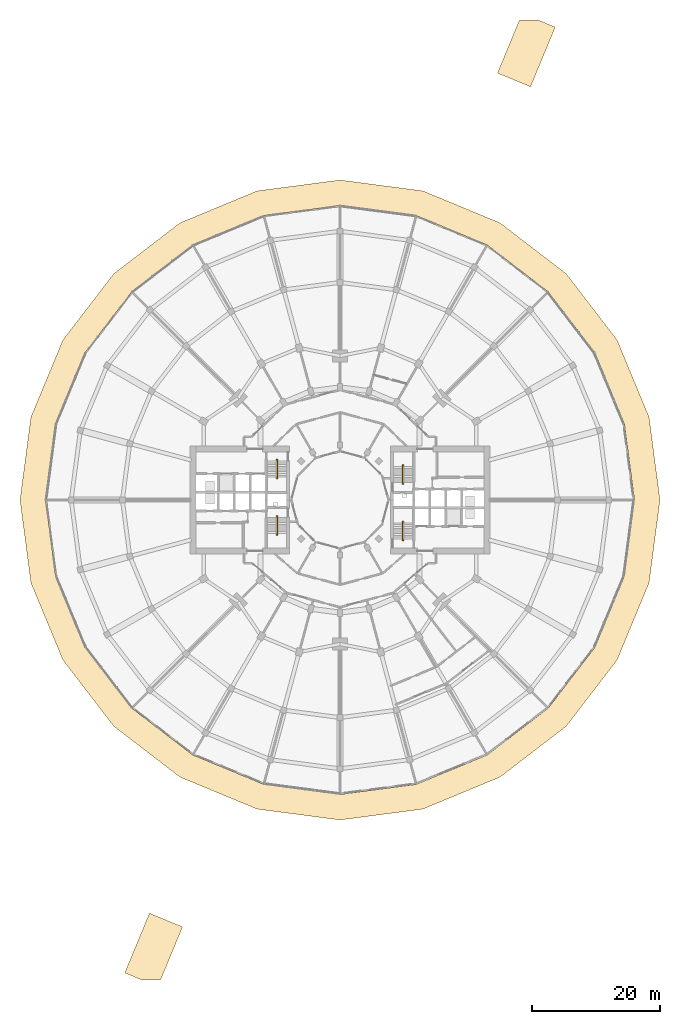
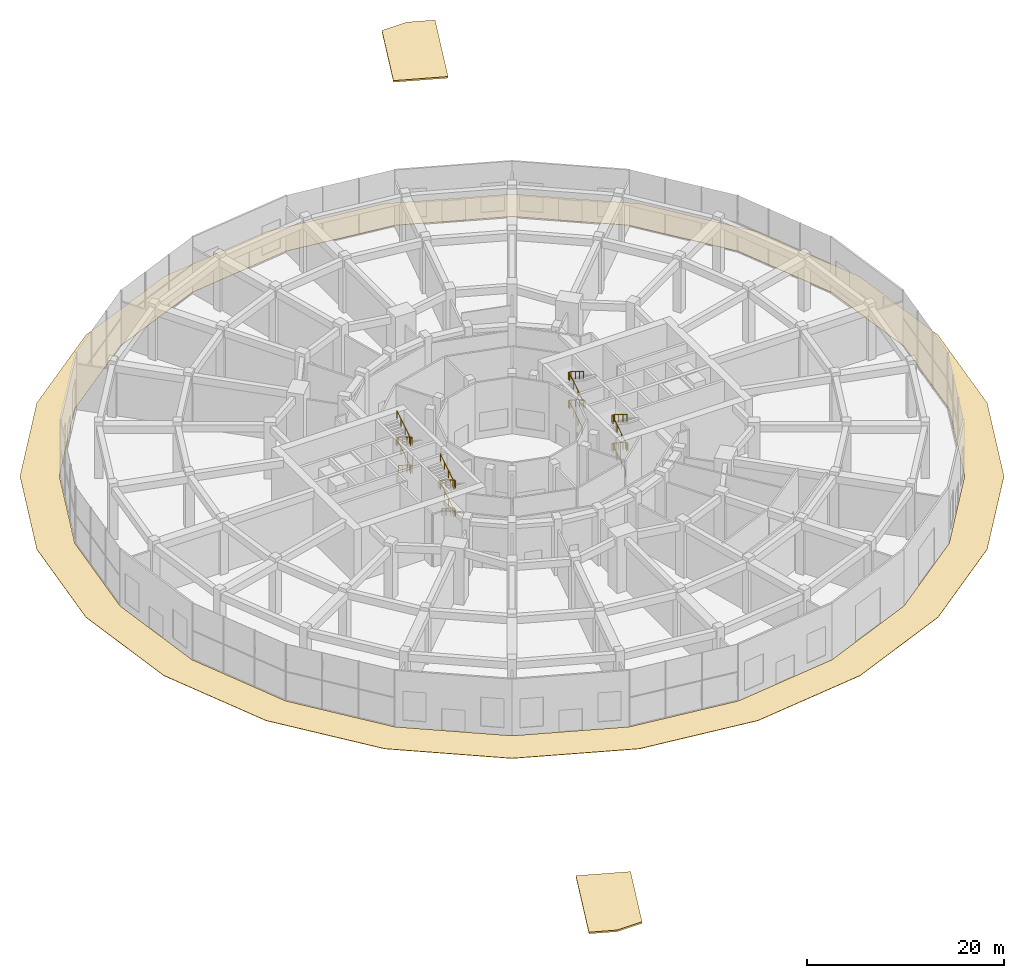
# One storey, part 30 of 31: 4 railings, 3 coverings.
"""IFC4 building model written with IfcOpenShell, lengths in metres."""

import ifcopenshell
import ifcopenshell.guid

model = None  # the IFC model being written
_history = None  # IfcOwnerHistory: only IFC2X3 demands one
_inside = {}  # id of a spatial element -> (the spatial element, [elements in it])
_under = {}  # id of a project, library or spatial element -> (it, [spatial elements below it])
_declared = {}  # id of a project -> (the project, [libraries it declares])
_typed = {}  # id of a type object -> (the type object, [elements of that type])
_made_of = {}  # id of a material, layer set ... -> (it, [elements and type objects made of it])


def new_model(schema):
    """Start an empty IFC model of exactly this schema.

    Asked for "IFC4X3", IfcOpenShell would pick the latest addendum, in which some entities
    have other attributes; the version numbers below select the first issue.
    IFC2X3 requires an IfcOwnerHistory on every rooted entity: one is made here for all.
    """
    global model, _history
    if schema == "IFC4X3":
        model = ifcopenshell.file(schema_version=(4, 3, 0, 0))
    else:
        model = ifcopenshell.file(schema=schema)
    _inside.clear()
    _under.clear()
    _declared.clear()
    _typed.clear()
    _made_of.clear()
    _history = None
    if model.schema == "IFC2X3":
        org = make("IfcOrganization", Name="unknown")
        user = make(
            "IfcPersonAndOrganization",
            ThePerson=make("IfcPerson", FamilyName="unknown"),
            TheOrganization=org,
        )
        app = make(
            "IfcApplication",
            ApplicationDeveloper=org,
            Version="unknown",
            ApplicationFullName="unknown",
            ApplicationIdentifier="unknown",
        )
        _history = make(
            "IfcOwnerHistory",
            OwningUser=user,
            OwningApplication=app,
            ChangeAction="ADDED",
            CreationDate=0,
        )
    return model


def make(cls, **values):
    """One entity of the class cls with the attributes given. An attribute that is None is left unset."""
    return model.create_entity(
        cls, **{name: value for name, value in values.items() if value is not None}
    )


def rooted(cls, **values):
    """An entity with a GlobalId (a new one), such as an element, a storey or a relation."""
    return make(cls, GlobalId=ifcopenshell.guid.new(), OwnerHistory=_history, **values)


def si_unit(unit_type, name, prefix=None):
    """IfcSIUnit, for example si_unit("LENGTHUNIT", "METRE", prefix="MILLI")."""
    return make("IfcSIUnit", UnitType=unit_type, Prefix=prefix, Name=name)


def assignment(units):
    """IfcUnitAssignment: the units of a project."""
    return None if units is None else make("IfcUnitAssignment", Units=units)


def point(xyz):
    """IfcCartesianPoint."""
    return None if xyz is None else make("IfcCartesianPoint", Coordinates=xyz)


def direction(xyz):
    """IfcDirection."""
    return None if xyz is None else make("IfcDirection", DirectionRatios=xyz)


def frame(location, z_axis=None, x_axis=None):
    """IfcAxis2Placement3D, a coordinate frame: its origin and axes. An axis left out is left unset."""
    return make(
        "IfcAxis2Placement3D",
        Location=point(location),
        Axis=direction(z_axis),
        RefDirection=direction(x_axis),
    )


def frame_2d(location, x_axis=None):
    """IfcAxis2Placement2D, a coordinate frame in the plane: its origin and x axis."""
    return make(
        "IfcAxis2Placement2D", Location=point(location), RefDirection=direction(x_axis)
    )


def origin():
    """The frame at (0, 0, 0) with its axes left unset."""
    return frame((0.0, 0.0, 0.0))


def origin_2d():
    """The frame at (0, 0) in the plane with its x axis left unset."""
    return frame_2d((0.0, 0.0))


def place(relative_to, where):
    """IfcLocalPlacement: puts the frame where relative to a parent placement (None: the world)."""
    return make(
        "IfcLocalPlacement", PlacementRelTo=relative_to, RelativePlacement=where
    )


def context(
    kind, dimensions, precision=None, world=None, true_north=None, identifier=None
):
    """IfcGeometricRepresentationContext, for example the 3D "Model" context."""
    return make(
        "IfcGeometricRepresentationContext",
        ContextIdentifier=identifier,
        ContextType=kind,
        CoordinateSpaceDimension=dimensions,
        Precision=precision,
        WorldCoordinateSystem=world,
        TrueNorth=true_north,
    )


def subcontext(parent, identifier, kind, view, scale=None):
    """IfcGeometricRepresentationSubContext, for example "Body" below "Model"."""
    return make(
        "IfcGeometricRepresentationSubContext",
        ContextIdentifier=identifier,
        ContextType=kind,
        ParentContext=parent,
        TargetScale=scale,
        TargetView=view,
    )


def project(units=None, contexts=None):
    """IfcProject with its units and contexts."""
    return rooted(
        "IfcProject",
        Name="project",
        RepresentationContexts=contexts,
        UnitsInContext=assignment(units),
    )


def spatial(cls, under=None, at=None, **own):
    """A site, building, storey or space (cls), placed at a placement, below another one or the project."""
    s = rooted(cls, ObjectPlacement=at, **own)
    if under is not None:
        _under.setdefault(under.id(), (under, []))[1].append(s)
    return s


def polyline(points):
    """IfcPolyline through the points."""
    return make("IfcPolyline", Points=[point(p) for p in points])


def profile(cls, at=None, kind="AREA", **sizes):
    """A parametric profile (cls). Its sizes go by their IFC names, for example OverallWidth=200.0."""
    return make(cls, ProfileType=kind, Position=at, **sizes)


def circle(**sizes):
    """IfcCircleProfileDef."""
    return profile("IfcCircleProfileDef", **sizes)


def outline(outer, holes=None, kind="AREA"):
    """IfcArbitraryClosedProfileDef: a profile drawn as a closed curve; with holes, ...WithVoids."""
    if holes is None:
        return make("IfcArbitraryClosedProfileDef", ProfileType=kind, OuterCurve=outer)
    return make(
        "IfcArbitraryProfileDefWithVoids",
        ProfileType=kind,
        OuterCurve=outer,
        InnerCurves=holes,
    )


def extrude(swept, where, along, depth):
    """IfcExtrudedAreaSolid: the profile swept, set in the frame where, extruded along a direction by depth."""
    return make(
        "IfcExtrudedAreaSolid",
        SweptArea=swept,
        Position=where,
        ExtrudedDirection=direction(along),
        Depth=depth,
    )


def shape(context_of_items, identifier, shape_type, items):
    """IfcShapeRepresentation: the items that make up one representation, for example the "Body"."""
    return make(
        "IfcShapeRepresentation",
        ContextOfItems=context_of_items,
        RepresentationIdentifier=identifier,
        RepresentationType=shape_type,
        Items=items,
    )


def material(Name=None, Category=None):
    """IfcMaterial."""
    return make("IfcMaterial", Name=Name, Category=Category)


def layer(
    of_material, thickness, ventilated=None, Name=None, Category=None, Priority=None
):
    """IfcMaterialLayer: one layer of a wall or slab, of a material (None: an air gap)."""
    return make(
        "IfcMaterialLayer",
        Material=of_material,
        LayerThickness=thickness,
        IsVentilated=ventilated,
        Name=Name,
        Category=Category,
        Priority=Priority,
    )


def layer_set(layers, Name=None):
    """IfcMaterialLayerSet."""
    return make("IfcMaterialLayerSet", MaterialLayers=layers, LayerSetName=Name)


def made_of(thing, what):
    """Note that an element or type object is made of a material, layer set ...; save() writes the relation."""
    if what is not None:
        _made_of.setdefault(what.id(), (what, []))[1].append(thing)
    return thing


def type_object(cls, material=None, **own):
    """A type object (cls), such as IfcWallType, which elements share."""
    return made_of(rooted(cls, **own), material)


def element(
    cls,
    number,
    at=None,
    inside=None,
    cuts=None,
    type_object=None,
    material=None,
    context=None,
    identifier="Body",
    shape_type=None,
    held_by="IfcProductDefinitionShape",
    body=None,
    shapes=None,
    **own,
):
    """One element of the class cls, such as IfcWall. Its Tag is "e" and its number.

    at: its placement. inside: the storey or other place that contains it. cuts: it is an
    opening in that element (IfcRelVoidsElement). A single representation is given by context,
    identifier, shape_type and body (its items); several are given by shapes. held_by: the class
    of the entity that holds the representations. save() writes the other relations.
    """
    e = rooted(cls, Tag="e%d" % number, ObjectPlacement=at, **own)
    if body is not None:
        shapes = [shape(context, identifier, shape_type, body)]
    if shapes is not None:
        e.Representation = make(held_by, Representations=shapes)
    if inside is not None:
        _inside.setdefault(inside.id(), (inside, []))[1].append(e)
    if cuts is not None:
        rooted(
            "IfcRelVoidsElement", RelatingBuildingElement=cuts, RelatedOpeningElement=e
        )
    if type_object is not None:
        _typed.setdefault(type_object.id(), (type_object, []))[1].append(e)
    return made_of(e, material)


def aggregate(whole, parts):
    """IfcRelAggregates: a whole, such as a stair, and the parts it consists of."""
    return rooted("IfcRelAggregates", RelatingObject=whole, RelatedObjects=parts)


def save(model, path):
    """Write the relations noted so far, then the file.

    IfcRelAggregates (storeys below a building ...), IfcRelContainedInSpatialStructure (elements
    in a storey), IfcRelDefinesByType, IfcRelAssociatesMaterial and IfcRelDeclares: one each for
    every whole, place, type object, material and project.
    """
    for whole, parts in _under.values():
        aggregate(whole, parts)
    for where, things in _inside.values():
        rooted(
            "IfcRelContainedInSpatialStructure",
            RelatedElements=things,
            RelatingStructure=where,
        )
    for kind, things in _typed.values():
        rooted("IfcRelDefinesByType", RelatedObjects=things, RelatingType=kind)
    for what, things in _made_of.values():
        rooted("IfcRelAssociatesMaterial", RelatedObjects=things, RelatingMaterial=what)
    for by, libraries in _declared.values():
        rooted("IfcRelDeclares", RelatingContext=by, RelatedDefinitions=libraries)
    model.write(path)


model = new_model("IFC4")

# Units and contexts
model_context = context("Model", 3, precision=1e-05, world=origin(), true_north=direction((0.0, 1.0)))
body_context = subcontext(model_context, "Body", "Model", "MODEL_VIEW")
ifc_project = project(units=[si_unit("LENGTHUNIT", "METRE"), si_unit("AREAUNIT", "SQUARE_METRE"), si_unit("VOLUMEUNIT", "CUBIC_METRE"), si_unit("PLANEANGLEUNIT", "RADIAN"), si_unit("MASSUNIT", "GRAM", prefix="KILO")], contexts=[model_context])

# Site, building, storey
site_placement = place(None, origin())
site = spatial("IfcSite", under=ifc_project, at=site_placement, CompositionType="ELEMENT")
building_placement = place(site_placement, origin())
building = spatial("IfcBuilding", under=site, at=building_placement, Name="Torre Brocal", CompositionType="ELEMENT")
storey_placement = place(building_placement, origin())
storey = spatial("IfcBuildingStorey", under=building, at=storey_placement, Name="L00", CompositionType="ELEMENT", Elevation=0.0)

# Coverings
ifc_material_1 = material(Name="Concrete C35", Category="concrete")
ifc_layer_1 = layer(ifc_material_1, 0.199951171875)
ifc_layer_set_1 = layer_set([ifc_layer_1], Name="Concrete C35")
covering_type_1 = type_object("IfcCoveringType", Name="DRIVEWAY PAVING 200", PredefinedType="FLOORING", material=ifc_layer_set_1)
covering_1_placement = place(storey_placement, frame((0.0, 0.0, -0.199951171875)))
element("IfcCovering", 1, at=covering_1_placement, inside=storey, type_object=covering_type_1, Name="ENTRY DRIVEWAY APRON", PredefinedType="FLOORING", context=body_context, shape_type="SweptSolid", body=[
    extrude(outline(polyline([(55.401123046875, 8.296142578125), (51.964599609375, 0.0), (49.036865234375, 0.0), (46.3623046875, 1.10791015625), (50.227294921875, 10.439208984375), (55.401123046875, 8.296142578125)])), origin(), (0.0, 0.0, 1.0), 0.199951171875),
])
covering_2_placement = place(storey_placement, frame((0.0, 0.0, -0.199951171875)))
element("IfcCovering", 2, at=covering_2_placement, inside=storey, type_object=covering_type_1, Name="EXIT DRIVEWAY APRON", PredefinedType="FLOORING", context=body_context, shape_type="SweptSolid", body=[
    extrude(outline(polyline([(104.598876953125, 141.703857421875), (108.035400390625, 150.0), (110.963134765625, 150.0), (113.6376953125, 148.89208984375), (109.772705078125, 139.560791015625), (104.598876953125, 141.703857421875)])), origin(), (0.0, 0.0, 1.0), 0.199951171875),
])
ifc_material_2 = material(Name="Granite paving", Category="masonry")
ifc_layer_2 = layer(ifc_material_2, 0.050048828125)
ifc_layer_set_2 = layer_set([ifc_layer_2], Name="Granite paving")
covering_type_2 = type_object("IfcCoveringType", Name="GARDEN PAVING 50", PredefinedType="FLOORING", material=ifc_layer_set_2)
covering_3_placement = place(storey_placement, frame((0.0, 0.0, -0.050048828125)))
element("IfcCovering", 3, at=covering_3_placement, inside=storey, type_object=covering_type_2, Name="GARDEN PAVING", PredefinedType="FLOORING", context=body_context, shape_type="SweptSolid", body=[
    extrude(outline(polyline([(128.29638671875, 62.05908203125), (123.30126953125, 50.0), (115.355224609375, 39.644775390625), (105.0, 31.69873046875), (92.94091796875, 26.70361328125), (80.0, 25.0), (67.05908203125, 26.70361328125), (55.0, 31.69873046875), (44.644775390625, 39.644775390625), (36.69873046875, 50.0), (31.70361328125, 62.05908203125), (30.0, 75.0), (31.70361328125, 87.94091796875), (36.69873046875, 100.0), (44.644775390625, 110.355224609375), (55.0, 118.30126953125), (67.05908203125, 123.29638671875), (80.0, 125.0), (92.94091796875, 123.29638671875), (105.0, 118.30126953125), (115.355224609375, 110.355224609375), (123.30126953125, 100.0), (128.29638671875, 87.94091796875), (130.0, 75.0), (128.29638671875, 62.05908203125)]), holes=[polyline([(124.4326171875, 86.90576171875), (119.837158203125, 98.0), (112.52685546875, 107.52685546875), (103.0, 114.837158203125), (91.90576171875, 119.4326171875), (80.0, 121.0), (68.09423828125, 119.4326171875), (57.0, 114.837158203125), (47.47314453125, 107.52685546875), (40.162841796875, 98.0), (35.5673828125, 86.90576171875), (34.0, 75.0), (35.5673828125, 63.09423828125), (40.162841796875, 52.0), (47.47314453125, 42.47314453125), (57.0, 35.162841796875), (68.09423828125, 30.5673828125), (80.0, 29.0), (91.90576171875, 30.5673828125), (103.0, 35.162841796875), (112.52685546875, 42.47314453125), (119.837158203125, 52.0), (124.4326171875, 63.09423828125), (126.0, 75.0), (124.4326171875, 86.90576171875)])]), origin(), (0.0, 0.0, 1.0), 0.050048828125),
])

# Railings
ifc_material_3 = material(Name="Stainless steel AISI 316", Category="steel")
railing_type = type_object("IfcRailingType", Name="STAIR HANDRAIL", PredefinedType="HANDRAIL", material=ifc_material_3)
railing_1_placement = place(storey_placement, frame((89.780029296875, 77.699951171875, 0.175048828125)))
element("IfcRailing", 4, at=railing_1_placement, inside=storey, type_object=railing_type, Name="HANDRAIL ST1", PredefinedType="HANDRAIL", context=body_context, shape_type="SweptSolid", body=[
    extrude(circle(Radius=0.02392578125, at=origin_2d()), frame((0.0, 0.0, 0.8759765625), z_axis=(0.0, 0.848007534815, 0.529984170421), x_axis=(-1.0, 0.0, 0.0)), (0.0, 0.0, 1.0), 2.9716796875),
    extrude(circle(Radius=0.02392578125, at=origin_2d()), frame((0.0, 2.52001953125, 2.45068359375), z_axis=(0.0, 1.0, 0.0), x_axis=(-1.0, 0.0, 0.0)), (0.0, 0.0, 1.0), 0.25),
    extrude(circle(Radius=0.02392578125, at=origin_2d()), frame((0.0, 2.77001953125, 2.45068359375), z_axis=(1.0, 0.0, 0.0), x_axis=(0.0, 1.0, 0.0)), (0.0, 0.0, 1.0), 0.18994140625),
    extrude(circle(Radius=0.02392578125, at=origin_2d()), frame((0.18994140625, 2.77001953125, 2.45068359375), z_axis=(0.0, -0.819156749665, 0.573569716318), x_axis=(1.0, 0.0, 0.0)), (0.0, 0.0, 1.0), 0.30517578125),
    extrude(circle(Radius=0.02392578125, at=origin_2d()), frame((0.18994140625, 2.52001953125, 2.6259765625), z_axis=(0.0, -0.848007534815, 0.529984170421), x_axis=(1.0, 0.0, 0.0)), (0.0, 0.0, 1.0), 2.9716796875),
    extrude(circle(Radius=0.02392578125, at=origin_2d()), frame((0.18994140625, 0.0, 4.20068359375), z_axis=(0.0, -1.0, 0.0), x_axis=(1.0, 0.0, 0.0)), (0.0, 0.0, 1.0), 0.25),
    extrude(circle(Radius=0.02392578125, at=origin_2d()), frame((0.18994140625, -0.25, 4.20068359375), z_axis=(-1.0, 0.0, 0.0), x_axis=(0.0, -1.0, 0.0)), (0.0, 0.0, 1.0), 0.18994140625),
    extrude(circle(Radius=0.02392578125, at=origin_2d()), frame((0.0, -0.25, 4.20068359375), z_axis=(0.0, 0.819156749665, 0.573569716318), x_axis=(-1.0, 0.0, 0.0)), (0.0, 0.0, 1.0), 0.30517578125),
    extrude(circle(Radius=0.02392578125, at=origin_2d()), frame((0.0, 0.0, 4.3759765625), z_axis=(0.0, 0.848007534815, 0.529984170421), x_axis=(-1.0, 0.0, 0.0)), (0.0, 0.0, 1.0), 2.9716796875),
    extrude(circle(Radius=0.02392578125, at=origin_2d()), frame((0.0, 2.52001953125, 5.95068359375), z_axis=(0.0, 1.0, 0.0), x_axis=(-1.0, 0.0, 0.0)), (0.0, 0.0, 1.0), 0.25),
    extrude(circle(Radius=0.02392578125, at=origin_2d()), frame((0.0, 2.77001953125, 5.95068359375), z_axis=(1.0, 0.0, 0.0), x_axis=(0.0, 1.0, 0.0)), (0.0, 0.0, 1.0), 0.18994140625),
    extrude(circle(Radius=0.02392578125, at=origin_2d()), frame((0.18994140625, 2.77001953125, 5.95068359375), z_axis=(0.0, -0.819156749665, 0.573569716318), x_axis=(1.0, 0.0, 0.0)), (0.0, 0.0, 1.0), 0.30517578125),
    extrude(circle(Radius=0.02392578125, at=origin_2d()), frame((0.18994140625, 2.52001953125, 6.1259765625), z_axis=(0.0, -0.848007534815, 0.529984170421), x_axis=(1.0, 0.0, 0.0)), (0.0, 0.0, 1.0), 2.9716796875),
    extrude(circle(Radius=0.02099609375, at=origin_2d()), origin(), (0.0, 0.0, 1.0), 0.851806640625),
    extrude(circle(Radius=0.02099609375, at=origin_2d()), frame((0.0, 0.840087890625, 0.52490234375)), (0.0, 0.0, 1.0), 0.851806640625),
    extrude(circle(Radius=0.02099609375, at=origin_2d()), frame((0.0, 1.679931640625, 1.050048828125)), (0.0, 0.0, 1.0), 0.851806640625),
    extrude(circle(Radius=0.02099609375, at=origin_2d()), frame((0.0, 2.52001953125, 1.574951171875)), (0.0, 0.0, 1.0), 0.851806640625),
    extrude(circle(Radius=0.02099609375, at=origin_2d()), frame((0.0, 2.77001953125, 1.574951171875)), (0.0, 0.0, 1.0), 0.851806640625),
    extrude(circle(Radius=0.02099609375, at=origin_2d()), frame((0.18994140625, 2.77001953125, 1.574951171875)), (0.0, 0.0, 1.0), 0.851806640625),
    extrude(circle(Radius=0.02099609375, at=origin_2d()), frame((0.18994140625, 2.52001953125, 1.75)), (0.0, 0.0, 1.0), 0.851806640625),
    extrude(circle(Radius=0.02099609375, at=origin_2d()), frame((0.18994140625, 1.679931640625, 2.27490234375)), (0.0, 0.0, 1.0), 0.851806640625),
    extrude(circle(Radius=0.02099609375, at=origin_2d()), frame((0.18994140625, 0.840087890625, 2.800048828125)), (0.0, 0.0, 1.0), 0.851806640625),
    extrude(circle(Radius=0.02099609375, at=origin_2d()), frame((0.18994140625, 0.0, 3.324951171875)), (0.0, 0.0, 1.0), 0.851806640625),
    extrude(circle(Radius=0.02099609375, at=origin_2d()), frame((0.18994140625, -0.25, 3.324951171875)), (0.0, 0.0, 1.0), 0.851806640625),
    extrude(circle(Radius=0.02099609375, at=origin_2d()), frame((0.0, -0.25, 3.324951171875)), (0.0, 0.0, 1.0), 0.851806640625),
    extrude(circle(Radius=0.02099609375, at=origin_2d()), frame((0.0, 0.0, 3.5)), (0.0, 0.0, 1.0), 0.851806640625),
    extrude(circle(Radius=0.02099609375, at=origin_2d()), frame((0.0, 0.840087890625, 4.02490234375)), (0.0, 0.0, 1.0), 0.851806640625),
    extrude(circle(Radius=0.02099609375, at=origin_2d()), frame((0.0, 1.679931640625, 4.550048828125)), (0.0, 0.0, 1.0), 0.851806640625),
    extrude(circle(Radius=0.02099609375, at=origin_2d()), frame((0.0, 2.52001953125, 5.074951171875)), (0.0, 0.0, 1.0), 0.851806640625),
    extrude(circle(Radius=0.02099609375, at=origin_2d()), frame((0.0, 2.77001953125, 5.074951171875)), (0.0, 0.0, 1.0), 0.851806640625),
    extrude(circle(Radius=0.02099609375, at=origin_2d()), frame((0.18994140625, 2.77001953125, 5.074951171875)), (0.0, 0.0, 1.0), 0.851806640625),
    extrude(circle(Radius=0.02099609375, at=origin_2d()), frame((0.18994140625, 2.52001953125, 5.25)), (0.0, 0.0, 1.0), 0.851806640625),
    extrude(circle(Radius=0.02099609375, at=origin_2d()), frame((0.18994140625, 1.679931640625, 5.77490234375)), (0.0, 0.0, 1.0), 0.851806640625),
    extrude(circle(Radius=0.02099609375, at=origin_2d()), frame((0.18994140625, 0.840087890625, 6.300048828125)), (0.0, 0.0, 1.0), 0.851806640625),
    extrude(circle(Radius=0.02099609375, at=origin_2d()), frame((0.18994140625, 0.0, 6.824951171875)), (0.0, 0.0, 1.0), 0.851806640625),
])
railing_2_placement = place(storey_placement, frame((89.780029296875, 68.89990234375, 0.175048828125)))
element("IfcRailing", 5, at=railing_2_placement, inside=storey, type_object=railing_type, Name="HANDRAIL ST2", PredefinedType="HANDRAIL", context=body_context, shape_type="SweptSolid", body=[
    extrude(circle(Radius=0.02392578125, at=origin_2d()), frame((0.0, 0.0, 0.8759765625), z_axis=(0.0, 0.848007534815, 0.529984170421), x_axis=(-1.0, 0.0, 0.0)), (0.0, 0.0, 1.0), 2.9716796875),
    extrude(circle(Radius=0.02392578125, at=origin_2d()), frame((0.0, 2.52001953125, 2.45068359375), z_axis=(0.0, 1.0, 0.0), x_axis=(-1.0, 0.0, 0.0)), (0.0, 0.0, 1.0), 0.25),
    extrude(circle(Radius=0.02392578125, at=origin_2d()), frame((0.0, 2.77001953125, 2.45068359375), z_axis=(1.0, 0.0, 0.0), x_axis=(0.0, 1.0, 0.0)), (0.0, 0.0, 1.0), 0.18994140625),
    extrude(circle(Radius=0.02392578125, at=origin_2d()), frame((0.18994140625, 2.77001953125, 2.45068359375), z_axis=(0.0, -0.819156749665, 0.573569716318), x_axis=(1.0, 0.0, 0.0)), (0.0, 0.0, 1.0), 0.30517578125),
    extrude(circle(Radius=0.02392578125, at=origin_2d()), frame((0.18994140625, 2.52001953125, 2.6259765625), z_axis=(0.0, -0.848007534815, 0.529984170421), x_axis=(1.0, 0.0, 0.0)), (0.0, 0.0, 1.0), 2.9716796875),
    extrude(circle(Radius=0.02392578125, at=origin_2d()), frame((0.18994140625, 0.0, 4.20068359375), z_axis=(0.0, -1.0, 0.0), x_axis=(1.0, 0.0, 0.0)), (0.0, 0.0, 1.0), 0.25),
    extrude(circle(Radius=0.02392578125, at=origin_2d()), frame((0.18994140625, -0.25, 4.20068359375), z_axis=(-1.0, 0.0, 0.0), x_axis=(0.0, -1.0, 0.0)), (0.0, 0.0, 1.0), 0.18994140625),
    extrude(circle(Radius=0.02392578125, at=origin_2d()), frame((0.0, -0.25, 4.20068359375), z_axis=(0.0, 0.819156749665, 0.573569716318), x_axis=(-1.0, 0.0, 0.0)), (0.0, 0.0, 1.0), 0.30517578125),
    extrude(circle(Radius=0.02392578125, at=origin_2d()), frame((0.0, 0.0, 4.3759765625), z_axis=(0.0, 0.848007534815, 0.529984170421), x_axis=(-1.0, 0.0, 0.0)), (0.0, 0.0, 1.0), 2.9716796875),
    extrude(circle(Radius=0.02392578125, at=origin_2d()), frame((0.0, 2.52001953125, 5.95068359375), z_axis=(0.0, 1.0, 0.0), x_axis=(-1.0, 0.0, 0.0)), (0.0, 0.0, 1.0), 0.25),
    extrude(circle(Radius=0.02392578125, at=origin_2d()), frame((0.0, 2.77001953125, 5.95068359375), z_axis=(1.0, 0.0, 0.0), x_axis=(0.0, 1.0, 0.0)), (0.0, 0.0, 1.0), 0.18994140625),
    extrude(circle(Radius=0.02392578125, at=origin_2d()), frame((0.18994140625, 2.77001953125, 5.95068359375), z_axis=(0.0, -0.819156749665, 0.573569716318), x_axis=(1.0, 0.0, 0.0)), (0.0, 0.0, 1.0), 0.30517578125),
    extrude(circle(Radius=0.02392578125, at=origin_2d()), frame((0.18994140625, 2.52001953125, 6.1259765625), z_axis=(0.0, -0.848007534815, 0.529984170421), x_axis=(1.0, 0.0, 0.0)), (0.0, 0.0, 1.0), 2.9716796875),
    extrude(circle(Radius=0.02099609375, at=origin_2d()), origin(), (0.0, 0.0, 1.0), 0.851806640625),
    extrude(circle(Radius=0.02099609375, at=origin_2d()), frame((0.0, 0.840087890625, 0.52490234375)), (0.0, 0.0, 1.0), 0.851806640625),
    extrude(circle(Radius=0.02099609375, at=origin_2d()), frame((0.0, 1.679931640625, 1.050048828125)), (0.0, 0.0, 1.0), 0.851806640625),
    extrude(circle(Radius=0.02099609375, at=origin_2d()), frame((0.0, 2.52001953125, 1.574951171875)), (0.0, 0.0, 1.0), 0.851806640625),
    extrude(circle(Radius=0.02099609375, at=origin_2d()), frame((0.0, 2.77001953125, 1.574951171875)), (0.0, 0.0, 1.0), 0.851806640625),
    extrude(circle(Radius=0.02099609375, at=origin_2d()), frame((0.18994140625, 2.77001953125, 1.574951171875)), (0.0, 0.0, 1.0), 0.851806640625),
    extrude(circle(Radius=0.02099609375, at=origin_2d()), frame((0.18994140625, 2.52001953125, 1.75)), (0.0, 0.0, 1.0), 0.851806640625),
    extrude(circle(Radius=0.02099609375, at=origin_2d()), frame((0.18994140625, 1.679931640625, 2.27490234375)), (0.0, 0.0, 1.0), 0.851806640625),
    extrude(circle(Radius=0.02099609375, at=origin_2d()), frame((0.18994140625, 0.840087890625, 2.800048828125)), (0.0, 0.0, 1.0), 0.851806640625),
    extrude(circle(Radius=0.02099609375, at=origin_2d()), frame((0.18994140625, 0.0, 3.324951171875)), (0.0, 0.0, 1.0), 0.851806640625),
    extrude(circle(Radius=0.02099609375, at=origin_2d()), frame((0.18994140625, -0.25, 3.324951171875)), (0.0, 0.0, 1.0), 0.851806640625),
    extrude(circle(Radius=0.02099609375, at=origin_2d()), frame((0.0, -0.25, 3.324951171875)), (0.0, 0.0, 1.0), 0.851806640625),
    extrude(circle(Radius=0.02099609375, at=origin_2d()), frame((0.0, 0.0, 3.5)), (0.0, 0.0, 1.0), 0.851806640625),
    extrude(circle(Radius=0.02099609375, at=origin_2d()), frame((0.0, 0.840087890625, 4.02490234375)), (0.0, 0.0, 1.0), 0.851806640625),
    extrude(circle(Radius=0.02099609375, at=origin_2d()), frame((0.0, 1.679931640625, 4.550048828125)), (0.0, 0.0, 1.0), 0.851806640625),
    extrude(circle(Radius=0.02099609375, at=origin_2d()), frame((0.0, 2.52001953125, 5.074951171875)), (0.0, 0.0, 1.0), 0.851806640625),
    extrude(circle(Radius=0.02099609375, at=origin_2d()), frame((0.0, 2.77001953125, 5.074951171875)), (0.0, 0.0, 1.0), 0.851806640625),
    extrude(circle(Radius=0.02099609375, at=origin_2d()), frame((0.18994140625, 2.77001953125, 5.074951171875)), (0.0, 0.0, 1.0), 0.851806640625),
    extrude(circle(Radius=0.02099609375, at=origin_2d()), frame((0.18994140625, 2.52001953125, 5.25)), (0.0, 0.0, 1.0), 0.851806640625),
    extrude(circle(Radius=0.02099609375, at=origin_2d()), frame((0.18994140625, 1.679931640625, 5.77490234375)), (0.0, 0.0, 1.0), 0.851806640625),
    extrude(circle(Radius=0.02099609375, at=origin_2d()), frame((0.18994140625, 0.840087890625, 6.300048828125)), (0.0, 0.0, 1.0), 0.851806640625),
    extrude(circle(Radius=0.02099609375, at=origin_2d()), frame((0.18994140625, 0.0, 6.824951171875)), (0.0, 0.0, 1.0), 0.851806640625),
])
railing_3_placement = place(storey_placement, frame((70.219970703125, 72.300048828125, 0.175048828125)))
element("IfcRailing", 6, at=railing_3_placement, inside=storey, type_object=railing_type, Name="HANDRAIL ST3", PredefinedType="HANDRAIL", context=body_context, shape_type="SweptSolid", body=[
    extrude(circle(Radius=0.02392578125, at=origin_2d()), frame((0.0, 0.0, 0.8759765625), z_axis=(0.0, -0.848007534815, 0.529984170421), x_axis=(1.0, 0.0, 0.0)), (0.0, 0.0, 1.0), 2.9716796875),
    extrude(circle(Radius=0.02392578125, at=origin_2d()), frame((0.0, -2.52001953125, 2.45068359375), z_axis=(0.0, -1.0, 0.0), x_axis=(1.0, 0.0, 0.0)), (0.0, 0.0, 1.0), 0.25),
    extrude(circle(Radius=0.02392578125, at=origin_2d()), frame((0.0, -2.77001953125, 2.45068359375), z_axis=(-1.0, 0.0, 0.0), x_axis=(0.0, -1.0, 0.0)), (0.0, 0.0, 1.0), 0.18994140625),
    extrude(circle(Radius=0.02392578125, at=origin_2d()), frame((-0.18994140625, -2.77001953125, 2.45068359375), z_axis=(0.0, 0.819156749665, 0.573569716318), x_axis=(-1.0, 0.0, 0.0)), (0.0, 0.0, 1.0), 0.30517578125),
    extrude(circle(Radius=0.02392578125, at=origin_2d()), frame((-0.18994140625, -2.52001953125, 2.6259765625), z_axis=(0.0, 0.848007534815, 0.529984170421), x_axis=(-1.0, 0.0, 0.0)), (0.0, 0.0, 1.0), 2.9716796875),
    extrude(circle(Radius=0.02392578125, at=origin_2d()), frame((-0.18994140625, 0.0, 4.20068359375), z_axis=(0.0, 1.0, 0.0), x_axis=(-1.0, 0.0, 0.0)), (0.0, 0.0, 1.0), 0.25),
    extrude(circle(Radius=0.02392578125, at=origin_2d()), frame((-0.18994140625, 0.25, 4.20068359375), z_axis=(1.0, 0.0, 0.0), x_axis=(0.0, 1.0, 0.0)), (0.0, 0.0, 1.0), 0.18994140625),
    extrude(circle(Radius=0.02392578125, at=origin_2d()), frame((0.0, 0.25, 4.20068359375), z_axis=(0.0, -0.819156749665, 0.573569716318), x_axis=(1.0, 0.0, 0.0)), (0.0, 0.0, 1.0), 0.30517578125),
    extrude(circle(Radius=0.02392578125, at=origin_2d()), frame((0.0, 0.0, 4.3759765625), z_axis=(0.0, -0.848007534815, 0.529984170421), x_axis=(1.0, 0.0, 0.0)), (0.0, 0.0, 1.0), 2.9716796875),
    extrude(circle(Radius=0.02392578125, at=origin_2d()), frame((0.0, -2.52001953125, 5.95068359375), z_axis=(0.0, -1.0, 0.0), x_axis=(1.0, 0.0, 0.0)), (0.0, 0.0, 1.0), 0.25),
    extrude(circle(Radius=0.02392578125, at=origin_2d()), frame((0.0, -2.77001953125, 5.95068359375), z_axis=(-1.0, 0.0, 0.0), x_axis=(0.0, -1.0, 0.0)), (0.0, 0.0, 1.0), 0.18994140625),
    extrude(circle(Radius=0.02392578125, at=origin_2d()), frame((-0.18994140625, -2.77001953125, 5.95068359375), z_axis=(0.0, 0.819156749665, 0.573569716318), x_axis=(-1.0, 0.0, 0.0)), (0.0, 0.0, 1.0), 0.30517578125),
    extrude(circle(Radius=0.02392578125, at=origin_2d()), frame((-0.18994140625, -2.52001953125, 6.1259765625), z_axis=(0.0, 0.848007534815, 0.529984170421), x_axis=(-1.0, 0.0, 0.0)), (0.0, 0.0, 1.0), 2.9716796875),
    extrude(circle(Radius=0.02099609375, at=origin_2d()), origin(), (0.0, 0.0, 1.0), 0.851806640625),
    extrude(circle(Radius=0.02099609375, at=origin_2d()), frame((0.0, -0.840087890625, 0.52490234375)), (0.0, 0.0, 1.0), 0.851806640625),
    extrude(circle(Radius=0.02099609375, at=origin_2d()), frame((0.0, -1.679931640625, 1.050048828125)), (0.0, 0.0, 1.0), 0.851806640625),
    extrude(circle(Radius=0.02099609375, at=origin_2d()), frame((0.0, -2.52001953125, 1.574951171875)), (0.0, 0.0, 1.0), 0.851806640625),
    extrude(circle(Radius=0.02099609375, at=origin_2d()), frame((0.0, -2.77001953125, 1.574951171875)), (0.0, 0.0, 1.0), 0.851806640625),
    extrude(circle(Radius=0.02099609375, at=origin_2d()), frame((-0.18994140625, -2.77001953125, 1.574951171875)), (0.0, 0.0, 1.0), 0.851806640625),
    extrude(circle(Radius=0.02099609375, at=origin_2d()), frame((-0.18994140625, -2.52001953125, 1.75)), (0.0, 0.0, 1.0), 0.851806640625),
    extrude(circle(Radius=0.02099609375, at=origin_2d()), frame((-0.18994140625, -1.679931640625, 2.27490234375)), (0.0, 0.0, 1.0), 0.851806640625),
    extrude(circle(Radius=0.02099609375, at=origin_2d()), frame((-0.18994140625, -0.840087890625, 2.800048828125)), (0.0, 0.0, 1.0), 0.851806640625),
    extrude(circle(Radius=0.02099609375, at=origin_2d()), frame((-0.18994140625, 0.0, 3.324951171875)), (0.0, 0.0, 1.0), 0.851806640625),
    extrude(circle(Radius=0.02099609375, at=origin_2d()), frame((-0.18994140625, 0.25, 3.324951171875)), (0.0, 0.0, 1.0), 0.851806640625),
    extrude(circle(Radius=0.02099609375, at=origin_2d()), frame((0.0, 0.25, 3.324951171875)), (0.0, 0.0, 1.0), 0.851806640625),
    extrude(circle(Radius=0.02099609375, at=origin_2d()), frame((0.0, 0.0, 3.5)), (0.0, 0.0, 1.0), 0.851806640625),
    extrude(circle(Radius=0.02099609375, at=origin_2d()), frame((0.0, -0.840087890625, 4.02490234375)), (0.0, 0.0, 1.0), 0.851806640625),
    extrude(circle(Radius=0.02099609375, at=origin_2d()), frame((0.0, -1.679931640625, 4.550048828125)), (0.0, 0.0, 1.0), 0.851806640625),
    extrude(circle(Radius=0.02099609375, at=origin_2d()), frame((0.0, -2.52001953125, 5.074951171875)), (0.0, 0.0, 1.0), 0.851806640625),
    extrude(circle(Radius=0.02099609375, at=origin_2d()), frame((0.0, -2.77001953125, 5.074951171875)), (0.0, 0.0, 1.0), 0.851806640625),
    extrude(circle(Radius=0.02099609375, at=origin_2d()), frame((-0.18994140625, -2.77001953125, 5.074951171875)), (0.0, 0.0, 1.0), 0.851806640625),
    extrude(circle(Radius=0.02099609375, at=origin_2d()), frame((-0.18994140625, -2.52001953125, 5.25)), (0.0, 0.0, 1.0), 0.851806640625),
    extrude(circle(Radius=0.02099609375, at=origin_2d()), frame((-0.18994140625, -1.679931640625, 5.77490234375)), (0.0, 0.0, 1.0), 0.851806640625),
    extrude(circle(Radius=0.02099609375, at=origin_2d()), frame((-0.18994140625, -0.840087890625, 6.300048828125)), (0.0, 0.0, 1.0), 0.851806640625),
    extrude(circle(Radius=0.02099609375, at=origin_2d()), frame((-0.18994140625, 0.0, 6.824951171875)), (0.0, 0.0, 1.0), 0.851806640625),
])
railing_4_placement = place(storey_placement, frame((70.219970703125, 81.10009765625, 0.175048828125)))
element("IfcRailing", 7, at=railing_4_placement, inside=storey, type_object=railing_type, Name="HANDRAIL ST4", PredefinedType="HANDRAIL", context=body_context, shape_type="SweptSolid", body=[
    extrude(circle(Radius=0.02392578125, at=origin_2d()), frame((0.0, 0.0, 0.8759765625), z_axis=(0.0, -0.848007534815, 0.529984170421), x_axis=(1.0, 0.0, 0.0)), (0.0, 0.0, 1.0), 2.9716796875),
    extrude(circle(Radius=0.02392578125, at=origin_2d()), frame((0.0, -2.52001953125, 2.45068359375), z_axis=(0.0, -1.0, 0.0), x_axis=(1.0, 0.0, 0.0)), (0.0, 0.0, 1.0), 0.25),
    extrude(circle(Radius=0.02392578125, at=origin_2d()), frame((0.0, -2.77001953125, 2.45068359375), z_axis=(-1.0, 0.0, 0.0), x_axis=(0.0, -1.0, 0.0)), (0.0, 0.0, 1.0), 0.18994140625),
    extrude(circle(Radius=0.02392578125, at=origin_2d()), frame((-0.18994140625, -2.77001953125, 2.45068359375), z_axis=(0.0, 0.819156749665, 0.573569716318), x_axis=(-1.0, 0.0, 0.0)), (0.0, 0.0, 1.0), 0.30517578125),
    extrude(circle(Radius=0.02392578125, at=origin_2d()), frame((-0.18994140625, -2.52001953125, 2.6259765625), z_axis=(0.0, 0.848007534815, 0.529984170421), x_axis=(-1.0, 0.0, 0.0)), (0.0, 0.0, 1.0), 2.9716796875),
    extrude(circle(Radius=0.02392578125, at=origin_2d()), frame((-0.18994140625, 0.0, 4.20068359375), z_axis=(0.0, 1.0, 0.0), x_axis=(-1.0, 0.0, 0.0)), (0.0, 0.0, 1.0), 0.25),
    extrude(circle(Radius=0.02392578125, at=origin_2d()), frame((-0.18994140625, 0.25, 4.20068359375), z_axis=(1.0, 0.0, 0.0), x_axis=(0.0, 1.0, 0.0)), (0.0, 0.0, 1.0), 0.18994140625),
    extrude(circle(Radius=0.02392578125, at=origin_2d()), frame((0.0, 0.25, 4.20068359375), z_axis=(0.0, -0.819156749665, 0.573569716318), x_axis=(1.0, 0.0, 0.0)), (0.0, 0.0, 1.0), 0.30517578125),
    extrude(circle(Radius=0.02392578125, at=origin_2d()), frame((0.0, 0.0, 4.3759765625), z_axis=(0.0, -0.848007534815, 0.529984170421), x_axis=(1.0, 0.0, 0.0)), (0.0, 0.0, 1.0), 2.9716796875),
    extrude(circle(Radius=0.02392578125, at=origin_2d()), frame((0.0, -2.52001953125, 5.95068359375), z_axis=(0.0, -1.0, 0.0), x_axis=(1.0, 0.0, 0.0)), (0.0, 0.0, 1.0), 0.25),
    extrude(circle(Radius=0.02392578125, at=origin_2d()), frame((0.0, -2.77001953125, 5.95068359375), z_axis=(-1.0, 0.0, 0.0), x_axis=(0.0, -1.0, 0.0)), (0.0, 0.0, 1.0), 0.18994140625),
    extrude(circle(Radius=0.02392578125, at=origin_2d()), frame((-0.18994140625, -2.77001953125, 5.95068359375), z_axis=(0.0, 0.819156749665, 0.573569716318), x_axis=(-1.0, 0.0, 0.0)), (0.0, 0.0, 1.0), 0.30517578125),
    extrude(circle(Radius=0.02392578125, at=origin_2d()), frame((-0.18994140625, -2.52001953125, 6.1259765625), z_axis=(0.0, 0.848007534815, 0.529984170421), x_axis=(-1.0, 0.0, 0.0)), (0.0, 0.0, 1.0), 2.9716796875),
    extrude(circle(Radius=0.02099609375, at=origin_2d()), origin(), (0.0, 0.0, 1.0), 0.851806640625),
    extrude(circle(Radius=0.02099609375, at=origin_2d()), frame((0.0, -0.840087890625, 0.52490234375)), (0.0, 0.0, 1.0), 0.851806640625),
    extrude(circle(Radius=0.02099609375, at=origin_2d()), frame((0.0, -1.679931640625, 1.050048828125)), (0.0, 0.0, 1.0), 0.851806640625),
    extrude(circle(Radius=0.02099609375, at=origin_2d()), frame((0.0, -2.52001953125, 1.574951171875)), (0.0, 0.0, 1.0), 0.851806640625),
    extrude(circle(Radius=0.02099609375, at=origin_2d()), frame((0.0, -2.77001953125, 1.574951171875)), (0.0, 0.0, 1.0), 0.851806640625),
    extrude(circle(Radius=0.02099609375, at=origin_2d()), frame((-0.18994140625, -2.77001953125, 1.574951171875)), (0.0, 0.0, 1.0), 0.851806640625),
    extrude(circle(Radius=0.02099609375, at=origin_2d()), frame((-0.18994140625, -2.52001953125, 1.75)), (0.0, 0.0, 1.0), 0.851806640625),
    extrude(circle(Radius=0.02099609375, at=origin_2d()), frame((-0.18994140625, -1.679931640625, 2.27490234375)), (0.0, 0.0, 1.0), 0.851806640625),
    extrude(circle(Radius=0.02099609375, at=origin_2d()), frame((-0.18994140625, -0.840087890625, 2.800048828125)), (0.0, 0.0, 1.0), 0.851806640625),
    extrude(circle(Radius=0.02099609375, at=origin_2d()), frame((-0.18994140625, 0.0, 3.324951171875)), (0.0, 0.0, 1.0), 0.851806640625),
    extrude(circle(Radius=0.02099609375, at=origin_2d()), frame((-0.18994140625, 0.25, 3.324951171875)), (0.0, 0.0, 1.0), 0.851806640625),
    extrude(circle(Radius=0.02099609375, at=origin_2d()), frame((0.0, 0.25, 3.324951171875)), (0.0, 0.0, 1.0), 0.851806640625),
    extrude(circle(Radius=0.02099609375, at=origin_2d()), frame((0.0, 0.0, 3.5)), (0.0, 0.0, 1.0), 0.851806640625),
    extrude(circle(Radius=0.02099609375, at=origin_2d()), frame((0.0, -0.840087890625, 4.02490234375)), (0.0, 0.0, 1.0), 0.851806640625),
    extrude(circle(Radius=0.02099609375, at=origin_2d()), frame((0.0, -1.679931640625, 4.550048828125)), (0.0, 0.0, 1.0), 0.851806640625),
    extrude(circle(Radius=0.02099609375, at=origin_2d()), frame((0.0, -2.52001953125, 5.074951171875)), (0.0, 0.0, 1.0), 0.851806640625),
    extrude(circle(Radius=0.02099609375, at=origin_2d()), frame((0.0, -2.77001953125, 5.074951171875)), (0.0, 0.0, 1.0), 0.851806640625),
    extrude(circle(Radius=0.02099609375, at=origin_2d()), frame((-0.18994140625, -2.77001953125, 5.074951171875)), (0.0, 0.0, 1.0), 0.851806640625),
    extrude(circle(Radius=0.02099609375, at=origin_2d()), frame((-0.18994140625, -2.52001953125, 5.25)), (0.0, 0.0, 1.0), 0.851806640625),
    extrude(circle(Radius=0.02099609375, at=origin_2d()), frame((-0.18994140625, -1.679931640625, 5.77490234375)), (0.0, 0.0, 1.0), 0.851806640625),
    extrude(circle(Radius=0.02099609375, at=origin_2d()), frame((-0.18994140625, -0.840087890625, 6.300048828125)), (0.0, 0.0, 1.0), 0.851806640625),
    extrude(circle(Radius=0.02099609375, at=origin_2d()), frame((-0.18994140625, 0.0, 6.824951171875)), (0.0, 0.0, 1.0), 0.851806640625),
])

save(model, "model.ifc")
